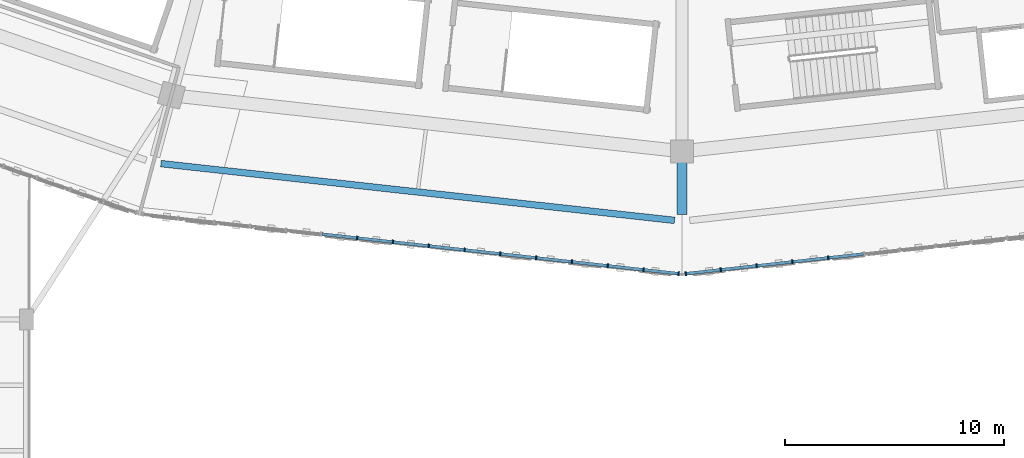
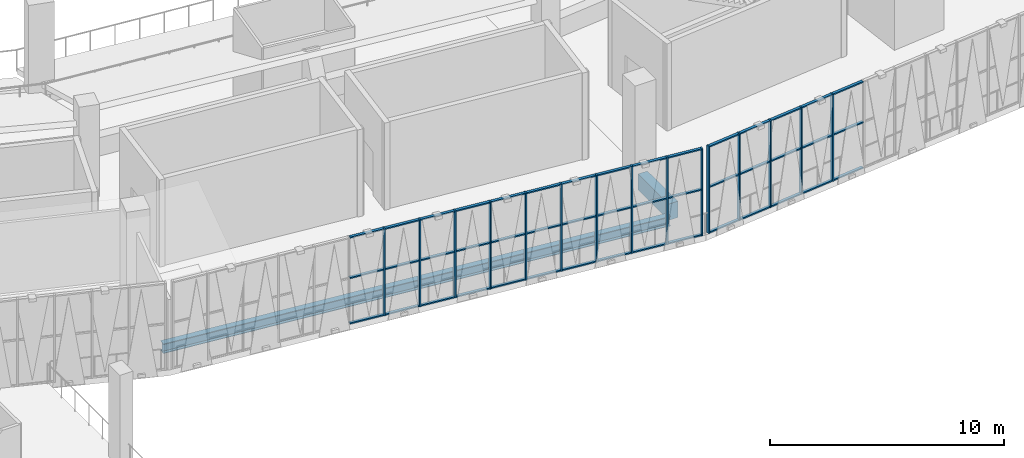
# One storey, part 15 of 152: 60 members, 2 beams, 2 elements without a shape of their own.
"""IFC4 building model written with IfcOpenShell, lengths in metres."""

from ifc_helpers import new_model, si_unit, direction, frame, origin, origin_2d, place, context, subcontext, project, spatial, rectangle, i_section, extrude, material, material_profile, profile_set, type_object, element, aggregate, save


model = new_model("IFC4")

# Units and contexts
model_context = context("Model", 3, precision=1e-05, world=origin(), true_north=direction((0.0, 1.0)))
body_context = subcontext(model_context, "Body", "Model", "MODEL_VIEW")
ifc_project = project(units=[si_unit("LENGTHUNIT", "METRE"), si_unit("AREAUNIT", "SQUARE_METRE"), si_unit("VOLUMEUNIT", "CUBIC_METRE"), si_unit("PLANEANGLEUNIT", "RADIAN"), si_unit("MASSUNIT", "GRAM", prefix="KILO")], contexts=[model_context])

# Site, building, storey
site_placement = place(None, origin())
site = spatial("IfcSite", under=ifc_project, at=site_placement, CompositionType="ELEMENT")
building_placement = place(site_placement, origin())
building = spatial("IfcBuilding", under=site, at=building_placement, Name="Zevraka Park Crest Stadium", CompositionType="ELEMENT")
storey_placement = place(building_placement, frame((0.0, 0.0, 15.0)))
storey = spatial("IfcBuildingStorey", under=building, at=storey_placement, Name="L03", CompositionType="ELEMENT", Elevation=15.0)

# Beam
ifc_material_1 = material(Name="Concrete C40/50", Category="concrete")
ifc_material_profile_1 = material_profile(ifc_material_1, rectangle(XDim=0.449951171875, YDim=0.85009765625, at=origin_2d()), Name="RC 850x450")
ifc_profile_set_1 = profile_set([ifc_material_profile_1], Name="Concrete C40/50")
beam_type_1 = type_object("IfcBeamType", Name="BG03", PredefinedType="BEAM", material=ifc_profile_set_1)
beam_1_placement = place(storey_placement, frame((112.0, 16.39990234375, -0.43505859375), z_axis=(0.0, -1.0, 0.0), x_axis=(1.0, 0.0, 0.0)))
element("IfcBeam", 1, at=beam_1_placement, inside=storey, type_object=beam_type_1, Name="Radial Girder BG03 L03-DE-18", PredefinedType="BEAM", context=body_context, shape_type="SweptSolid", body=[
    extrude(rectangle(XDim=0.449951171875, YDim=0.85009765625, at=origin_2d()), origin(), (0.0, 0.0, 1.0), 2.599853515625),
])

# Curtain wall, members
ifc_material_2 = material(Name="Anodised architectural aluminium and laminated safety glass", Category="aluminium")
curtain_wall_type = type_object("IfcCurtainWallType", Name="CW11", PredefinedType="NOTDEFINED", material=ifc_material_2)
curtain_wall_1_placement = place(storey_placement, origin())
curtain_wall_1 = element("IfcCurtainWall", 2, at=curtain_wall_1_placement, inside=storey, type_object=curtain_wall_type, Name="Unitised Ring Curtain Wall CW11 L03-17", PredefinedType="NOTDEFINED")
ifc_material_3 = material(Name="Anodised architectural aluminium", Category="aluminium")
ifc_material_profile_2 = material_profile(ifc_material_3, rectangle(XDim=0.179931640625, YDim=0.06494140625, at=origin_2d()), Name="ALU MULLION 180x65")
ifc_profile_set_2 = profile_set([ifc_material_profile_2], Name="Anodised architectural aluminium")
member_type_1 = type_object("IfcMemberType", Name="CM02", PredefinedType="MULLION", material=ifc_profile_set_2)
member_1_placement = place(storey_placement, frame((97.128662109375, 12.732421875, 0.0), z_axis=(0.0, 0.0, 1.0), x_axis=(0.110396006373, 0.993887680665, 0.0)))
member_1 = element("IfcMember", 3, at=member_1_placement, type_object=member_type_1, Name="CW11 mullion 7", PredefinedType="MULLION", context=body_context, shape_type="SweptSolid", body=[
    extrude(rectangle(XDim=0.179931640625, YDim=0.06494140625, at=origin_2d()), origin(), (0.0, 0.0, 1.0), 4.5400390625),
])
member_2_placement = place(storey_placement, frame((98.7666015625, 12.550537109375, 0.0), z_axis=(0.0, 0.0, 1.0), x_axis=(0.110396006373, 0.993887680665, 0.0)))
member_2 = element("IfcMember", 4, at=member_2_placement, type_object=member_type_1, Name="CW11 mullion 8", PredefinedType="MULLION", context=body_context, shape_type="SweptSolid", body=[
    extrude(rectangle(XDim=0.179931640625, YDim=0.06494140625, at=origin_2d()), origin(), (0.0, 0.0, 1.0), 4.5400390625),
])
member_3_placement = place(storey_placement, frame((100.404541015625, 12.36865234375, 0.0), z_axis=(0.0, 0.0, 1.0), x_axis=(0.110396006373, 0.993887680665, 0.0)))
member_3 = element("IfcMember", 5, at=member_3_placement, type_object=member_type_1, Name="CW11 mullion 9", PredefinedType="MULLION", context=body_context, shape_type="SweptSolid", body=[
    extrude(rectangle(XDim=0.179931640625, YDim=0.06494140625, at=origin_2d()), origin(), (0.0, 0.0, 1.0), 4.5400390625),
])
member_4_placement = place(storey_placement, frame((102.04248046875, 12.1865234375, 0.0), z_axis=(0.0, 0.0, 1.0), x_axis=(0.110396006373, 0.993887680665, 0.0)))
member_4 = element("IfcMember", 6, at=member_4_placement, type_object=member_type_1, Name="CW11 mullion 10", PredefinedType="MULLION", context=body_context, shape_type="SweptSolid", body=[
    extrude(rectangle(XDim=0.179931640625, YDim=0.06494140625, at=origin_2d()), origin(), (0.0, 0.0, 1.0), 4.5400390625),
])
member_5_placement = place(storey_placement, frame((103.680419921875, 12.004638671875, 0.0), z_axis=(0.0, 0.0, 1.0), x_axis=(0.110396006373, 0.993887680665, 0.0)))
member_5 = element("IfcMember", 7, at=member_5_placement, type_object=member_type_1, Name="CW11 mullion 11", PredefinedType="MULLION", context=body_context, shape_type="SweptSolid", body=[
    extrude(rectangle(XDim=0.179931640625, YDim=0.06494140625, at=origin_2d()), origin(), (0.0, 0.0, 1.0), 4.5400390625),
])
member_6_placement = place(storey_placement, frame((105.318359375, 11.82275390625, 0.0), z_axis=(0.0, 0.0, 1.0), x_axis=(0.110396006373, 0.993887680665, 0.0)))
member_6 = element("IfcMember", 8, at=member_6_placement, type_object=member_type_1, Name="CW11 mullion 12", PredefinedType="MULLION", context=body_context, shape_type="SweptSolid", body=[
    extrude(rectangle(XDim=0.179931640625, YDim=0.06494140625, at=origin_2d()), origin(), (0.0, 0.0, 1.0), 4.5400390625),
])
member_7_placement = place(storey_placement, frame((106.956298828125, 11.640869140625, 0.0), z_axis=(0.0, 0.0, 1.0), x_axis=(0.110396006373, 0.993887680665, 0.0)))
member_7 = element("IfcMember", 9, at=member_7_placement, type_object=member_type_1, Name="CW11 mullion 13", PredefinedType="MULLION", context=body_context, shape_type="SweptSolid", body=[
    extrude(rectangle(XDim=0.179931640625, YDim=0.06494140625, at=origin_2d()), origin(), (0.0, 0.0, 1.0), 4.5400390625),
])
member_8_placement = place(storey_placement, frame((108.59423828125, 11.458984375, 0.0), z_axis=(0.0, 0.0, 1.0), x_axis=(0.110396006373, 0.993887680665, 0.0)))
member_8 = element("IfcMember", 10, at=member_8_placement, type_object=member_type_1, Name="CW11 mullion 14", PredefinedType="MULLION", context=body_context, shape_type="SweptSolid", body=[
    extrude(rectangle(XDim=0.179931640625, YDim=0.06494140625, at=origin_2d()), origin(), (0.0, 0.0, 1.0), 4.5400390625),
])
member_9_placement = place(storey_placement, frame((110.232177734375, 11.27685546875, 0.0), z_axis=(0.0, 0.0, 1.0), x_axis=(0.110396006373, 0.993887680665, 0.0)))
member_9 = element("IfcMember", 11, at=member_9_placement, type_object=member_type_1, Name="CW11 mullion 15", PredefinedType="MULLION", context=body_context, shape_type="SweptSolid", body=[
    extrude(rectangle(XDim=0.179931640625, YDim=0.06494140625, at=origin_2d()), origin(), (0.0, 0.0, 1.0), 4.5400390625),
])
member_10_placement = place(storey_placement, frame((111.837646484375, 11.0986328125, 0.0), z_axis=(0.0, 0.0, 1.0), x_axis=(0.110396006373, 0.993887680665, 0.0)))
member_10 = element("IfcMember", 12, at=member_10_placement, type_object=member_type_1, Name="CW11 mullion 16", PredefinedType="MULLION", context=body_context, shape_type="SweptSolid", body=[
    extrude(rectangle(XDim=0.179931640625, YDim=0.06494140625, at=origin_2d()), origin(), (0.0, 0.0, 1.0), 4.5400390625),
])

curtain_wall_2_placement = place(storey_placement, origin())
curtain_wall_2 = element("IfcCurtainWall", 13, at=curtain_wall_2_placement, inside=storey, type_object=curtain_wall_type, Name="Unitised Ring Curtain Wall CW11 L03-18", PredefinedType="NOTDEFINED")
member_11_placement = place(storey_placement, frame((112.162353515625, 11.0986328125, 0.0), z_axis=(0.0, 0.0, 1.0), x_axis=(-0.110396006373, 0.993887680665, 0.0)))
member_11 = element("IfcMember", 14, at=member_11_placement, type_object=member_type_1, Name="CW11 mullion 1", PredefinedType="MULLION", context=body_context, shape_type="SweptSolid", body=[
    extrude(rectangle(XDim=0.179931640625, YDim=0.06494140625, at=origin_2d()), origin(), (0.0, 0.0, 1.0), 4.5400390625),
])
member_12_placement = place(storey_placement, frame((113.767822265625, 11.27685546875, 0.0), z_axis=(0.0, 0.0, 1.0), x_axis=(-0.110396006373, 0.993887680665, 0.0)))
member_12 = element("IfcMember", 15, at=member_12_placement, type_object=member_type_1, Name="CW11 mullion 2", PredefinedType="MULLION", context=body_context, shape_type="SweptSolid", body=[
    extrude(rectangle(XDim=0.179931640625, YDim=0.06494140625, at=origin_2d()), origin(), (0.0, 0.0, 1.0), 4.5400390625),
])
member_13_placement = place(storey_placement, frame((115.40576171875, 11.458984375, 0.0), z_axis=(0.0, 0.0, 1.0), x_axis=(-0.110396006373, 0.993887680665, 0.0)))
member_13 = element("IfcMember", 16, at=member_13_placement, type_object=member_type_1, Name="CW11 mullion 3", PredefinedType="MULLION", context=body_context, shape_type="SweptSolid", body=[
    extrude(rectangle(XDim=0.179931640625, YDim=0.06494140625, at=origin_2d()), origin(), (0.0, 0.0, 1.0), 4.5400390625),
])
member_14_placement = place(storey_placement, frame((117.043701171875, 11.640869140625, 0.0), z_axis=(0.0, 0.0, 1.0), x_axis=(-0.110396006373, 0.993887680665, 0.0)))
member_14 = element("IfcMember", 17, at=member_14_placement, type_object=member_type_1, Name="CW11 mullion 4", PredefinedType="MULLION", context=body_context, shape_type="SweptSolid", body=[
    extrude(rectangle(XDim=0.179931640625, YDim=0.06494140625, at=origin_2d()), origin(), (0.0, 0.0, 1.0), 4.5400390625),
])
member_15_placement = place(storey_placement, frame((118.681640625, 11.82275390625, 0.0), z_axis=(0.0, 0.0, 1.0), x_axis=(-0.110396006373, 0.993887680665, 0.0)))
member_15 = element("IfcMember", 18, at=member_15_placement, type_object=member_type_1, Name="CW11 mullion 5", PredefinedType="MULLION", context=body_context, shape_type="SweptSolid", body=[
    extrude(rectangle(XDim=0.179931640625, YDim=0.06494140625, at=origin_2d()), origin(), (0.0, 0.0, 1.0), 4.5400390625),
])

# Member
ifc_material_4 = material(Name="Anodised architectural aluminium", Category="aluminium")
ifc_material_profile_3 = material_profile(ifc_material_4, rectangle(XDim=0.139892578125, YDim=0.06494140625, at=origin_2d()), Name="ALU TRANSOM 140x65")
ifc_profile_set_3 = profile_set([ifc_material_profile_3], Name="Anodised architectural aluminium")
member_type_2 = type_object("IfcMemberType", Name="CT02", PredefinedType="USERDEFINED", material=ifc_profile_set_3)
member_16_placement = place(storey_placement, frame((95.52294921875, 12.91064453125, 0.032470703125), z_axis=(0.993900651403, -0.110279169111, 0.0), x_axis=(0.110279169111, 0.993900651403, 0.0)))
member_16 = element("IfcMember", 19, at=member_16_placement, type_object=member_type_2, Name="CW11 transom 6.1", ObjectType="TRANSOM", PredefinedType="USERDEFINED", context=body_context, shape_type="SweptSolid", body=[
    extrude(rectangle(XDim=0.139892578125, YDim=0.06494140625, at=origin_2d()), origin(), (0.0, 0.0, 1.0), 1.5830078125),
])

member_17_placement = place(storey_placement, frame((95.52294921875, 12.91064453125, 2.39990234375), z_axis=(0.993900651403, -0.110279169111, 0.0), x_axis=(0.110279169111, 0.993900651403, 0.0)))
member_17 = element("IfcMember", 20, at=member_17_placement, type_object=member_type_2, Name="CW11 transom 6.2", ObjectType="TRANSOM", PredefinedType="USERDEFINED", context=body_context, shape_type="SweptSolid", body=[
    extrude(rectangle(XDim=0.139892578125, YDim=0.06494140625, at=origin_2d()), origin(), (0.0, 0.0, 1.0), 1.5830078125),
])

member_18_placement = place(storey_placement, frame((95.52294921875, 12.91064453125, 4.507568359375), z_axis=(0.993900651403, -0.110279169111, 0.0), x_axis=(0.110279169111, 0.993900651403, 0.0)))
member_18 = element("IfcMember", 21, at=member_18_placement, type_object=member_type_2, Name="CW11 transom 6.3", ObjectType="TRANSOM", PredefinedType="USERDEFINED", context=body_context, shape_type="SweptSolid", body=[
    extrude(rectangle(XDim=0.139892578125, YDim=0.06494140625, at=origin_2d()), origin(), (0.0, 0.0, 1.0), 1.5830078125),
])

member_19_placement = place(storey_placement, frame((97.160888671875, 12.728759765625, 0.032470703125), z_axis=(0.993883734674, -0.110431526075, 0.0), x_axis=(0.110431526075, 0.993883734674, 0.0)))
member_19 = element("IfcMember", 22, at=member_19_placement, type_object=member_type_2, Name="CW11 transom 7.1", ObjectType="TRANSOM", PredefinedType="USERDEFINED", context=body_context, shape_type="SweptSolid", body=[
    extrude(rectangle(XDim=0.139892578125, YDim=0.06494140625, at=origin_2d()), origin(), (0.0, 0.0, 1.0), 1.5830078125),
])

member_20_placement = place(storey_placement, frame((97.160888671875, 12.728759765625, 2.39990234375), z_axis=(0.993883734674, -0.110431526075, 0.0), x_axis=(0.110431526075, 0.993883734674, 0.0)))
member_20 = element("IfcMember", 23, at=member_20_placement, type_object=member_type_2, Name="CW11 transom 7.2", ObjectType="TRANSOM", PredefinedType="USERDEFINED", context=body_context, shape_type="SweptSolid", body=[
    extrude(rectangle(XDim=0.139892578125, YDim=0.06494140625, at=origin_2d()), origin(), (0.0, 0.0, 1.0), 1.5830078125),
])

member_21_placement = place(storey_placement, frame((97.160888671875, 12.728759765625, 4.507568359375), z_axis=(0.993883734674, -0.110431526075, 0.0), x_axis=(0.110431526075, 0.993883734674, 0.0)))
member_21 = element("IfcMember", 24, at=member_21_placement, type_object=member_type_2, Name="CW11 transom 7.3", ObjectType="TRANSOM", PredefinedType="USERDEFINED", context=body_context, shape_type="SweptSolid", body=[
    extrude(rectangle(XDim=0.139892578125, YDim=0.06494140625, at=origin_2d()), origin(), (0.0, 0.0, 1.0), 1.5830078125),
])

member_22_placement = place(storey_placement, frame((98.798828125, 12.546875, 0.032470703125), z_axis=(0.993883734674, -0.110431526075, 0.0), x_axis=(0.110431526075, 0.993883734674, 0.0)))
member_22 = element("IfcMember", 25, at=member_22_placement, type_object=member_type_2, Name="CW11 transom 8.1", ObjectType="TRANSOM", PredefinedType="USERDEFINED", context=body_context, shape_type="SweptSolid", body=[
    extrude(rectangle(XDim=0.139892578125, YDim=0.06494140625, at=origin_2d()), origin(), (0.0, 0.0, 1.0), 1.5830078125),
])

member_23_placement = place(storey_placement, frame((98.798828125, 12.546875, 2.39990234375), z_axis=(0.993883734674, -0.110431526075, 0.0), x_axis=(0.110431526075, 0.993883734674, 0.0)))
member_23 = element("IfcMember", 26, at=member_23_placement, type_object=member_type_2, Name="CW11 transom 8.2", ObjectType="TRANSOM", PredefinedType="USERDEFINED", context=body_context, shape_type="SweptSolid", body=[
    extrude(rectangle(XDim=0.139892578125, YDim=0.06494140625, at=origin_2d()), origin(), (0.0, 0.0, 1.0), 1.5830078125),
])

member_24_placement = place(storey_placement, frame((98.798828125, 12.546875, 4.507568359375), z_axis=(0.993883734674, -0.110431526075, 0.0), x_axis=(0.110431526075, 0.993883734674, 0.0)))
member_24 = element("IfcMember", 27, at=member_24_placement, type_object=member_type_2, Name="CW11 transom 8.3", ObjectType="TRANSOM", PredefinedType="USERDEFINED", context=body_context, shape_type="SweptSolid", body=[
    extrude(rectangle(XDim=0.139892578125, YDim=0.06494140625, at=origin_2d()), origin(), (0.0, 0.0, 1.0), 1.5830078125),
])

member_25_placement = place(storey_placement, frame((100.436767578125, 12.364990234375, 0.032470703125), z_axis=(0.993883734674, -0.110431526075, 0.0), x_axis=(0.110431526075, 0.993883734674, 0.0)))
member_25 = element("IfcMember", 28, at=member_25_placement, type_object=member_type_2, Name="CW11 transom 9.1", ObjectType="TRANSOM", PredefinedType="USERDEFINED", context=body_context, shape_type="SweptSolid", body=[
    extrude(rectangle(XDim=0.139892578125, YDim=0.06494140625, at=origin_2d()), origin(), (0.0, 0.0, 1.0), 1.5830078125),
])

member_26_placement = place(storey_placement, frame((100.436767578125, 12.364990234375, 2.39990234375), z_axis=(0.993883734674, -0.110431526075, 0.0), x_axis=(0.110431526075, 0.993883734674, 0.0)))
member_26 = element("IfcMember", 29, at=member_26_placement, type_object=member_type_2, Name="CW11 transom 9.2", ObjectType="TRANSOM", PredefinedType="USERDEFINED", context=body_context, shape_type="SweptSolid", body=[
    extrude(rectangle(XDim=0.139892578125, YDim=0.06494140625, at=origin_2d()), origin(), (0.0, 0.0, 1.0), 1.5830078125),
])

member_27_placement = place(storey_placement, frame((100.436767578125, 12.364990234375, 4.507568359375), z_axis=(0.993883734674, -0.110431526075, 0.0), x_axis=(0.110431526075, 0.993883734674, 0.0)))
member_27 = element("IfcMember", 30, at=member_27_placement, type_object=member_type_2, Name="CW11 transom 9.3", ObjectType="TRANSOM", PredefinedType="USERDEFINED", context=body_context, shape_type="SweptSolid", body=[
    extrude(rectangle(XDim=0.139892578125, YDim=0.06494140625, at=origin_2d()), origin(), (0.0, 0.0, 1.0), 1.5830078125),
])

member_28_placement = place(storey_placement, frame((102.07470703125, 12.18310546875, 0.032470703125), z_axis=(0.993883734674, -0.110431526075, 0.0), x_axis=(0.110431526075, 0.993883734674, 0.0)))
member_28 = element("IfcMember", 31, at=member_28_placement, type_object=member_type_2, Name="CW11 transom 10.1", ObjectType="TRANSOM", PredefinedType="USERDEFINED", context=body_context, shape_type="SweptSolid", body=[
    extrude(rectangle(XDim=0.139892578125, YDim=0.06494140625, at=origin_2d()), origin(), (0.0, 0.0, 1.0), 1.5830078125),
])

member_29_placement = place(storey_placement, frame((102.07470703125, 12.18310546875, 2.39990234375), z_axis=(0.993883734674, -0.110431526075, 0.0), x_axis=(0.110431526075, 0.993883734674, 0.0)))
member_29 = element("IfcMember", 32, at=member_29_placement, type_object=member_type_2, Name="CW11 transom 10.2", ObjectType="TRANSOM", PredefinedType="USERDEFINED", context=body_context, shape_type="SweptSolid", body=[
    extrude(rectangle(XDim=0.139892578125, YDim=0.06494140625, at=origin_2d()), origin(), (0.0, 0.0, 1.0), 1.5830078125),
])

member_30_placement = place(storey_placement, frame((102.07470703125, 12.18310546875, 4.507568359375), z_axis=(0.993883734674, -0.110431526075, 0.0), x_axis=(0.110431526075, 0.993883734674, 0.0)))
member_30 = element("IfcMember", 33, at=member_30_placement, type_object=member_type_2, Name="CW11 transom 10.3", ObjectType="TRANSOM", PredefinedType="USERDEFINED", context=body_context, shape_type="SweptSolid", body=[
    extrude(rectangle(XDim=0.139892578125, YDim=0.06494140625, at=origin_2d()), origin(), (0.0, 0.0, 1.0), 1.5830078125),
])

member_31_placement = place(storey_placement, frame((103.712646484375, 12.0009765625, 0.032470703125), z_axis=(0.993900651403, -0.110279169111, 0.0), x_axis=(0.110279169111, 0.993900651403, 0.0)))
member_31 = element("IfcMember", 34, at=member_31_placement, type_object=member_type_2, Name="CW11 transom 11.1", ObjectType="TRANSOM", PredefinedType="USERDEFINED", context=body_context, shape_type="SweptSolid", body=[
    extrude(rectangle(XDim=0.139892578125, YDim=0.06494140625, at=origin_2d()), origin(), (0.0, 0.0, 1.0), 1.5830078125),
])

member_32_placement = place(storey_placement, frame((103.712646484375, 12.0009765625, 2.39990234375), z_axis=(0.993900651403, -0.110279169111, 0.0), x_axis=(0.110279169111, 0.993900651403, 0.0)))
member_32 = element("IfcMember", 35, at=member_32_placement, type_object=member_type_2, Name="CW11 transom 11.2", ObjectType="TRANSOM", PredefinedType="USERDEFINED", context=body_context, shape_type="SweptSolid", body=[
    extrude(rectangle(XDim=0.139892578125, YDim=0.06494140625, at=origin_2d()), origin(), (0.0, 0.0, 1.0), 1.5830078125),
])

member_33_placement = place(storey_placement, frame((103.712646484375, 12.0009765625, 4.507568359375), z_axis=(0.993900651403, -0.110279169111, 0.0), x_axis=(0.110279169111, 0.993900651403, 0.0)))
member_33 = element("IfcMember", 36, at=member_33_placement, type_object=member_type_2, Name="CW11 transom 11.3", ObjectType="TRANSOM", PredefinedType="USERDEFINED", context=body_context, shape_type="SweptSolid", body=[
    extrude(rectangle(XDim=0.139892578125, YDim=0.06494140625, at=origin_2d()), origin(), (0.0, 0.0, 1.0), 1.5830078125),
])

member_34_placement = place(storey_placement, frame((105.3505859375, 11.819091796875, 0.032470703125), z_axis=(0.993883734674, -0.110431526075, 0.0), x_axis=(0.110431526075, 0.993883734674, 0.0)))
member_34 = element("IfcMember", 37, at=member_34_placement, type_object=member_type_2, Name="CW11 transom 12.1", ObjectType="TRANSOM", PredefinedType="USERDEFINED", context=body_context, shape_type="SweptSolid", body=[
    extrude(rectangle(XDim=0.139892578125, YDim=0.06494140625, at=origin_2d()), origin(), (0.0, 0.0, 1.0), 1.5830078125),
])

member_35_placement = place(storey_placement, frame((105.3505859375, 11.819091796875, 2.39990234375), z_axis=(0.993883734674, -0.110431526075, 0.0), x_axis=(0.110431526075, 0.993883734674, 0.0)))
member_35 = element("IfcMember", 38, at=member_35_placement, type_object=member_type_2, Name="CW11 transom 12.2", ObjectType="TRANSOM", PredefinedType="USERDEFINED", context=body_context, shape_type="SweptSolid", body=[
    extrude(rectangle(XDim=0.139892578125, YDim=0.06494140625, at=origin_2d()), origin(), (0.0, 0.0, 1.0), 1.5830078125),
])

member_36_placement = place(storey_placement, frame((105.3505859375, 11.819091796875, 4.507568359375), z_axis=(0.993883734674, -0.110431526075, 0.0), x_axis=(0.110431526075, 0.993883734674, 0.0)))
member_36 = element("IfcMember", 39, at=member_36_placement, type_object=member_type_2, Name="CW11 transom 12.3", ObjectType="TRANSOM", PredefinedType="USERDEFINED", context=body_context, shape_type="SweptSolid", body=[
    extrude(rectangle(XDim=0.139892578125, YDim=0.06494140625, at=origin_2d()), origin(), (0.0, 0.0, 1.0), 1.5830078125),
])

member_37_placement = place(storey_placement, frame((106.988525390625, 11.63720703125, 0.032470703125), z_axis=(0.993883734674, -0.110431526075, 0.0), x_axis=(0.110431526075, 0.993883734674, 0.0)))
member_37 = element("IfcMember", 40, at=member_37_placement, type_object=member_type_2, Name="CW11 transom 13.1", ObjectType="TRANSOM", PredefinedType="USERDEFINED", context=body_context, shape_type="SweptSolid", body=[
    extrude(rectangle(XDim=0.139892578125, YDim=0.06494140625, at=origin_2d()), origin(), (0.0, 0.0, 1.0), 1.5830078125),
])

member_38_placement = place(storey_placement, frame((106.988525390625, 11.63720703125, 2.39990234375), z_axis=(0.993883734674, -0.110431526075, 0.0), x_axis=(0.110431526075, 0.993883734674, 0.0)))
member_38 = element("IfcMember", 41, at=member_38_placement, type_object=member_type_2, Name="CW11 transom 13.2", ObjectType="TRANSOM", PredefinedType="USERDEFINED", context=body_context, shape_type="SweptSolid", body=[
    extrude(rectangle(XDim=0.139892578125, YDim=0.06494140625, at=origin_2d()), origin(), (0.0, 0.0, 1.0), 1.5830078125),
])

member_39_placement = place(storey_placement, frame((106.988525390625, 11.63720703125, 4.507568359375), z_axis=(0.993883734674, -0.110431526075, 0.0), x_axis=(0.110431526075, 0.993883734674, 0.0)))
member_39 = element("IfcMember", 42, at=member_39_placement, type_object=member_type_2, Name="CW11 transom 13.3", ObjectType="TRANSOM", PredefinedType="USERDEFINED", context=body_context, shape_type="SweptSolid", body=[
    extrude(rectangle(XDim=0.139892578125, YDim=0.06494140625, at=origin_2d()), origin(), (0.0, 0.0, 1.0), 1.5830078125),
])

member_40_placement = place(storey_placement, frame((108.62646484375, 11.455322265625, 0.032470703125), z_axis=(0.993883734674, -0.110431526075, 0.0), x_axis=(0.110431526075, 0.993883734674, 0.0)))
member_40 = element("IfcMember", 43, at=member_40_placement, type_object=member_type_2, Name="CW11 transom 14.1", ObjectType="TRANSOM", PredefinedType="USERDEFINED", context=body_context, shape_type="SweptSolid", body=[
    extrude(rectangle(XDim=0.139892578125, YDim=0.06494140625, at=origin_2d()), origin(), (0.0, 0.0, 1.0), 1.5830078125),
])

member_41_placement = place(storey_placement, frame((108.62646484375, 11.455322265625, 2.39990234375), z_axis=(0.993883734674, -0.110431526075, 0.0), x_axis=(0.110431526075, 0.993883734674, 0.0)))
member_41 = element("IfcMember", 44, at=member_41_placement, type_object=member_type_2, Name="CW11 transom 14.2", ObjectType="TRANSOM", PredefinedType="USERDEFINED", context=body_context, shape_type="SweptSolid", body=[
    extrude(rectangle(XDim=0.139892578125, YDim=0.06494140625, at=origin_2d()), origin(), (0.0, 0.0, 1.0), 1.5830078125),
])

member_42_placement = place(storey_placement, frame((108.62646484375, 11.455322265625, 4.507568359375), z_axis=(0.993883734674, -0.110431526075, 0.0), x_axis=(0.110431526075, 0.993883734674, 0.0)))
member_42 = element("IfcMember", 45, at=member_42_placement, type_object=member_type_2, Name="CW11 transom 14.3", ObjectType="TRANSOM", PredefinedType="USERDEFINED", context=body_context, shape_type="SweptSolid", body=[
    extrude(rectangle(XDim=0.139892578125, YDim=0.06494140625, at=origin_2d()), origin(), (0.0, 0.0, 1.0), 1.5830078125),
])

member_43_placement = place(storey_placement, frame((110.264404296875, 11.2734375, 0.032470703125), z_axis=(0.993889494064, -0.110379679236, 0.0), x_axis=(0.110379679236, 0.993889494064, 0.0)))
member_43 = element("IfcMember", 46, at=member_43_placement, type_object=member_type_2, Name="CW11 transom 15.1", ObjectType="TRANSOM", PredefinedType="USERDEFINED", context=body_context, shape_type="SweptSolid", body=[
    extrude(rectangle(XDim=0.139892578125, YDim=0.06494140625, at=origin_2d()), origin(), (0.0, 0.0, 1.0), 1.550537109375),
])

member_44_placement = place(storey_placement, frame((110.264404296875, 11.2734375, 2.39990234375), z_axis=(0.993889494064, -0.110379679236, 0.0), x_axis=(0.110379679236, 0.993889494064, 0.0)))
member_44 = element("IfcMember", 47, at=member_44_placement, type_object=member_type_2, Name="CW11 transom 15.2", ObjectType="TRANSOM", PredefinedType="USERDEFINED", context=body_context, shape_type="SweptSolid", body=[
    extrude(rectangle(XDim=0.139892578125, YDim=0.06494140625, at=origin_2d()), origin(), (0.0, 0.0, 1.0), 1.550537109375),
])

member_45_placement = place(storey_placement, frame((110.264404296875, 11.2734375, 4.507568359375), z_axis=(0.993889494064, -0.110379679236, 0.0), x_axis=(0.110379679236, 0.993889494064, 0.0)))
member_45 = element("IfcMember", 48, at=member_45_placement, type_object=member_type_2, Name="CW11 transom 15.3", ObjectType="TRANSOM", PredefinedType="USERDEFINED", context=body_context, shape_type="SweptSolid", body=[
    extrude(rectangle(XDim=0.139892578125, YDim=0.06494140625, at=origin_2d()), origin(), (0.0, 0.0, 1.0), 1.550537109375),
])

aggregate(curtain_wall_1, [member_1, member_2, member_3, member_4, member_5, member_6, member_7, member_8, member_9, member_10, member_16, member_17, member_18, member_19, member_20, member_21, member_22, member_23, member_24, member_25, member_26, member_27, member_28, member_29, member_30, member_31, member_32, member_33, member_34, member_35, member_36, member_37, member_38, member_39, member_40, member_41, member_42, member_43, member_44, member_45])

member_46_placement = place(storey_placement, frame((112.194580078125, 11.102294921875, 0.032470703125), z_axis=(0.993889494064, 0.110379679236, 0.0), x_axis=(-0.110379679236, 0.993889494064, 0.0)))
member_46 = element("IfcMember", 49, at=member_46_placement, type_object=member_type_2, Name="CW11 transom 1.1", ObjectType="TRANSOM", PredefinedType="USERDEFINED", context=body_context, shape_type="SweptSolid", body=[
    extrude(rectangle(XDim=0.139892578125, YDim=0.06494140625, at=origin_2d()), origin(), (0.0, 0.0, 1.0), 1.550537109375),
])

member_47_placement = place(storey_placement, frame((112.194580078125, 11.102294921875, 2.39990234375), z_axis=(0.993889494064, 0.110379679236, 0.0), x_axis=(-0.110379679236, 0.993889494064, 0.0)))
member_47 = element("IfcMember", 50, at=member_47_placement, type_object=member_type_2, Name="CW11 transom 1.2", ObjectType="TRANSOM", PredefinedType="USERDEFINED", context=body_context, shape_type="SweptSolid", body=[
    extrude(rectangle(XDim=0.139892578125, YDim=0.06494140625, at=origin_2d()), origin(), (0.0, 0.0, 1.0), 1.550537109375),
])

member_48_placement = place(storey_placement, frame((112.194580078125, 11.102294921875, 4.507568359375), z_axis=(0.993889494064, 0.110379679236, 0.0), x_axis=(-0.110379679236, 0.993889494064, 0.0)))
member_48 = element("IfcMember", 51, at=member_48_placement, type_object=member_type_2, Name="CW11 transom 1.3", ObjectType="TRANSOM", PredefinedType="USERDEFINED", context=body_context, shape_type="SweptSolid", body=[
    extrude(rectangle(XDim=0.139892578125, YDim=0.06494140625, at=origin_2d()), origin(), (0.0, 0.0, 1.0), 1.550537109375),
])

member_49_placement = place(storey_placement, frame((113.80029296875, 11.280517578125, 0.032470703125), z_axis=(0.993883734674, 0.110431526075, 0.0), x_axis=(-0.110431526075, 0.993883734674, 0.0)))
member_49 = element("IfcMember", 52, at=member_49_placement, type_object=member_type_2, Name="CW11 transom 2.1", ObjectType="TRANSOM", PredefinedType="USERDEFINED", context=body_context, shape_type="SweptSolid", body=[
    extrude(rectangle(XDim=0.139892578125, YDim=0.06494140625, at=origin_2d()), origin(), (0.0, 0.0, 1.0), 1.5830078125),
])

member_50_placement = place(storey_placement, frame((113.80029296875, 11.280517578125, 2.39990234375), z_axis=(0.993883734674, 0.110431526075, 0.0), x_axis=(-0.110431526075, 0.993883734674, 0.0)))
member_50 = element("IfcMember", 53, at=member_50_placement, type_object=member_type_2, Name="CW11 transom 2.2", ObjectType="TRANSOM", PredefinedType="USERDEFINED", context=body_context, shape_type="SweptSolid", body=[
    extrude(rectangle(XDim=0.139892578125, YDim=0.06494140625, at=origin_2d()), origin(), (0.0, 0.0, 1.0), 1.5830078125),
])

member_51_placement = place(storey_placement, frame((113.80029296875, 11.280517578125, 4.507568359375), z_axis=(0.993883734674, 0.110431526075, 0.0), x_axis=(-0.110431526075, 0.993883734674, 0.0)))
member_51 = element("IfcMember", 54, at=member_51_placement, type_object=member_type_2, Name="CW11 transom 2.3", ObjectType="TRANSOM", PredefinedType="USERDEFINED", context=body_context, shape_type="SweptSolid", body=[
    extrude(rectangle(XDim=0.139892578125, YDim=0.06494140625, at=origin_2d()), origin(), (0.0, 0.0, 1.0), 1.5830078125),
])

member_52_placement = place(storey_placement, frame((115.438232421875, 11.46240234375, 0.032470703125), z_axis=(0.993883734674, 0.110431526075, 0.0), x_axis=(-0.110431526075, 0.993883734674, 0.0)))
member_52 = element("IfcMember", 55, at=member_52_placement, type_object=member_type_2, Name="CW11 transom 3.1", ObjectType="TRANSOM", PredefinedType="USERDEFINED", context=body_context, shape_type="SweptSolid", body=[
    extrude(rectangle(XDim=0.139892578125, YDim=0.06494140625, at=origin_2d()), origin(), (0.0, 0.0, 1.0), 1.5830078125),
])

member_53_placement = place(storey_placement, frame((115.438232421875, 11.46240234375, 2.39990234375), z_axis=(0.993883734674, 0.110431526075, 0.0), x_axis=(-0.110431526075, 0.993883734674, 0.0)))
member_53 = element("IfcMember", 56, at=member_53_placement, type_object=member_type_2, Name="CW11 transom 3.2", ObjectType="TRANSOM", PredefinedType="USERDEFINED", context=body_context, shape_type="SweptSolid", body=[
    extrude(rectangle(XDim=0.139892578125, YDim=0.06494140625, at=origin_2d()), origin(), (0.0, 0.0, 1.0), 1.5830078125),
])

member_54_placement = place(storey_placement, frame((115.438232421875, 11.46240234375, 4.507568359375), z_axis=(0.993883734674, 0.110431526075, 0.0), x_axis=(-0.110431526075, 0.993883734674, 0.0)))
member_54 = element("IfcMember", 57, at=member_54_placement, type_object=member_type_2, Name="CW11 transom 3.3", ObjectType="TRANSOM", PredefinedType="USERDEFINED", context=body_context, shape_type="SweptSolid", body=[
    extrude(rectangle(XDim=0.139892578125, YDim=0.06494140625, at=origin_2d()), origin(), (0.0, 0.0, 1.0), 1.5830078125),
])

member_55_placement = place(storey_placement, frame((117.076171875, 11.644287109375, 0.032470703125), z_axis=(0.993883734674, 0.110431526075, 0.0), x_axis=(-0.110431526075, 0.993883734674, 0.0)))
member_55 = element("IfcMember", 58, at=member_55_placement, type_object=member_type_2, Name="CW11 transom 4.1", ObjectType="TRANSOM", PredefinedType="USERDEFINED", context=body_context, shape_type="SweptSolid", body=[
    extrude(rectangle(XDim=0.139892578125, YDim=0.06494140625, at=origin_2d()), origin(), (0.0, 0.0, 1.0), 1.5830078125),
])

member_56_placement = place(storey_placement, frame((117.076171875, 11.644287109375, 2.39990234375), z_axis=(0.993883734674, 0.110431526075, 0.0), x_axis=(-0.110431526075, 0.993883734674, 0.0)))
member_56 = element("IfcMember", 59, at=member_56_placement, type_object=member_type_2, Name="CW11 transom 4.2", ObjectType="TRANSOM", PredefinedType="USERDEFINED", context=body_context, shape_type="SweptSolid", body=[
    extrude(rectangle(XDim=0.139892578125, YDim=0.06494140625, at=origin_2d()), origin(), (0.0, 0.0, 1.0), 1.5830078125),
])

member_57_placement = place(storey_placement, frame((117.076171875, 11.644287109375, 4.507568359375), z_axis=(0.993883734674, 0.110431526075, 0.0), x_axis=(-0.110431526075, 0.993883734674, 0.0)))
member_57 = element("IfcMember", 60, at=member_57_placement, type_object=member_type_2, Name="CW11 transom 4.3", ObjectType="TRANSOM", PredefinedType="USERDEFINED", context=body_context, shape_type="SweptSolid", body=[
    extrude(rectangle(XDim=0.139892578125, YDim=0.06494140625, at=origin_2d()), origin(), (0.0, 0.0, 1.0), 1.5830078125),
])

member_58_placement = place(storey_placement, frame((118.714111328125, 11.826416015625, 0.032470703125), z_axis=(0.993900651403, 0.110279169111, 0.0), x_axis=(-0.110279169111, 0.993900651403, 0.0)))
member_58 = element("IfcMember", 61, at=member_58_placement, type_object=member_type_2, Name="CW11 transom 5.1", ObjectType="TRANSOM", PredefinedType="USERDEFINED", context=body_context, shape_type="SweptSolid", body=[
    extrude(rectangle(XDim=0.139892578125, YDim=0.06494140625, at=origin_2d()), origin(), (0.0, 0.0, 1.0), 1.5830078125),
])

member_59_placement = place(storey_placement, frame((118.714111328125, 11.826416015625, 2.39990234375), z_axis=(0.993900651403, 0.110279169111, 0.0), x_axis=(-0.110279169111, 0.993900651403, 0.0)))
member_59 = element("IfcMember", 62, at=member_59_placement, type_object=member_type_2, Name="CW11 transom 5.2", ObjectType="TRANSOM", PredefinedType="USERDEFINED", context=body_context, shape_type="SweptSolid", body=[
    extrude(rectangle(XDim=0.139892578125, YDim=0.06494140625, at=origin_2d()), origin(), (0.0, 0.0, 1.0), 1.5830078125),
])

member_60_placement = place(storey_placement, frame((118.714111328125, 11.826416015625, 4.507568359375), z_axis=(0.993900651403, 0.110279169111, 0.0), x_axis=(-0.110279169111, 0.993900651403, 0.0)))
member_60 = element("IfcMember", 63, at=member_60_placement, type_object=member_type_2, Name="CW11 transom 5.3", ObjectType="TRANSOM", PredefinedType="USERDEFINED", context=body_context, shape_type="SweptSolid", body=[
    extrude(rectangle(XDim=0.139892578125, YDim=0.06494140625, at=origin_2d()), origin(), (0.0, 0.0, 1.0), 1.5830078125),
])

aggregate(curtain_wall_2, [member_11, member_12, member_13, member_14, member_15, member_46, member_47, member_48, member_49, member_50, member_51, member_52, member_53, member_54, member_55, member_56, member_57, member_58, member_59, member_60])

# Beam
ifc_material_5 = material(Name="Steel S355", Category="steel")
ifc_material_profile_4 = material_profile(ifc_material_5, i_section(OverallWidth=0.300048828125, OverallDepth=0.5, WebThickness=0.014404296875, FlangeThickness=0.028076171875, at=origin_2d()), Name="HEB 500")
ifc_profile_set_4 = profile_set([ifc_material_profile_4], Name="Steel S355")
beam_type_2 = type_object("IfcBeamType", Name="RB05", PredefinedType="BEAM", material=ifc_profile_set_4)
beam_2_placement = place(storey_placement, frame((88.14794921875, 16.136962890625, -0.60498046875), z_axis=(0.993942516724, -0.109901198576, 0.0), x_axis=(0.109901198576, 0.993942516724, 0.0)))
element("IfcBeam", 64, at=beam_2_placement, inside=storey, type_object=beam_type_2, Name="Ring Beam RB05 L03-E-17", PredefinedType="BEAM", context=body_context, shape_type="SweptSolid", body=[
    extrude(i_section(OverallWidth=0.300048828125, OverallDepth=0.5, WebThickness=0.014404296875, FlangeThickness=0.028076171875, at=origin_2d()), origin(), (0.0, 0.0, 1.0), 23.6474609375),
])

save(model, "model.ifc")
